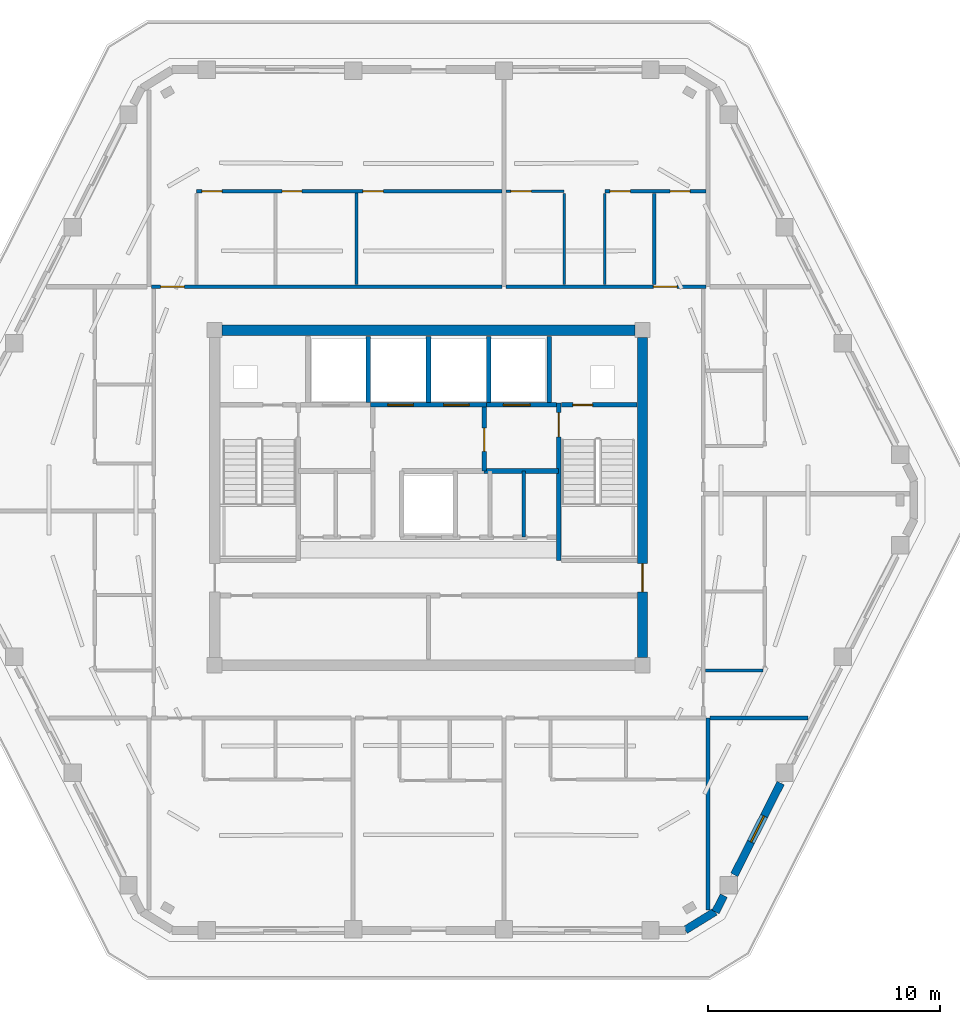
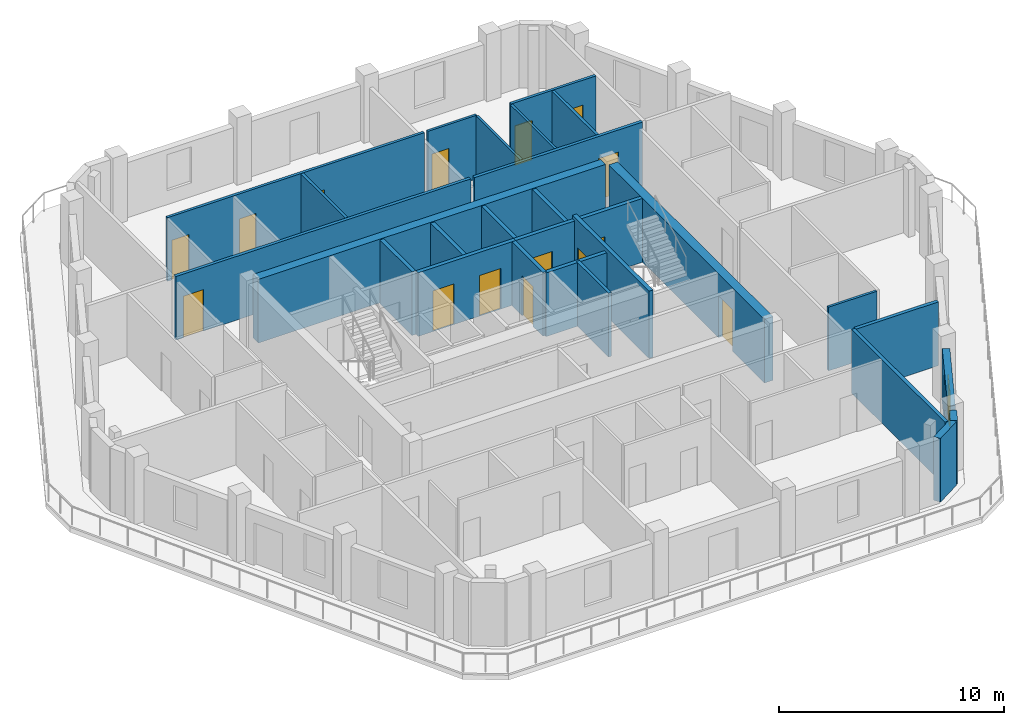
# One storey, part 5 of 10: 28 walls, 15 doors, 1 window, 16 openings.
"""IFC4 building model written with IfcOpenShell, lengths in metres."""

import ifcopenshell
import ifcopenshell.guid

model = None  # the IFC model being written
_history = None  # IfcOwnerHistory: only IFC2X3 demands one
_inside = {}  # id of a spatial element -> (the spatial element, [elements in it])
_under = {}  # id of a project, library or spatial element -> (it, [spatial elements below it])
_declared = {}  # id of a project -> (the project, [libraries it declares])
_typed = {}  # id of a type object -> (the type object, [elements of that type])
_made_of = {}  # id of a material, layer set ... -> (it, [elements and type objects made of it])


def new_model(schema):
    """Start an empty IFC model of exactly this schema.

    Asked for "IFC4X3", IfcOpenShell would pick the latest addendum, in which some entities
    have other attributes; the version numbers below select the first issue.
    IFC2X3 requires an IfcOwnerHistory on every rooted entity: one is made here for all.
    """
    global model, _history
    if schema == "IFC4X3":
        model = ifcopenshell.file(schema_version=(4, 3, 0, 0))
    else:
        model = ifcopenshell.file(schema=schema)
    _inside.clear()
    _under.clear()
    _declared.clear()
    _typed.clear()
    _made_of.clear()
    _history = None
    if model.schema == "IFC2X3":
        org = make("IfcOrganization", Name="unknown")
        user = make(
            "IfcPersonAndOrganization",
            ThePerson=make("IfcPerson", FamilyName="unknown"),
            TheOrganization=org,
        )
        app = make(
            "IfcApplication",
            ApplicationDeveloper=org,
            Version="unknown",
            ApplicationFullName="unknown",
            ApplicationIdentifier="unknown",
        )
        _history = make(
            "IfcOwnerHistory",
            OwningUser=user,
            OwningApplication=app,
            ChangeAction="ADDED",
            CreationDate=0,
        )
    return model


def make(cls, **values):
    """One entity of the class cls with the attributes given. An attribute that is None is left unset."""
    return model.create_entity(
        cls, **{name: value for name, value in values.items() if value is not None}
    )


def rooted(cls, **values):
    """An entity with a GlobalId (a new one), such as an element, a storey or a relation."""
    return make(cls, GlobalId=ifcopenshell.guid.new(), OwnerHistory=_history, **values)


def si_unit(unit_type, name, prefix=None):
    """IfcSIUnit, for example si_unit("LENGTHUNIT", "METRE", prefix="MILLI")."""
    return make("IfcSIUnit", UnitType=unit_type, Prefix=prefix, Name=name)


def assignment(units):
    """IfcUnitAssignment: the units of a project."""
    return None if units is None else make("IfcUnitAssignment", Units=units)


def point(xyz):
    """IfcCartesianPoint."""
    return None if xyz is None else make("IfcCartesianPoint", Coordinates=xyz)


def direction(xyz):
    """IfcDirection."""
    return None if xyz is None else make("IfcDirection", DirectionRatios=xyz)


def frame(location, z_axis=None, x_axis=None):
    """IfcAxis2Placement3D, a coordinate frame: its origin and axes. An axis left out is left unset."""
    return make(
        "IfcAxis2Placement3D",
        Location=point(location),
        Axis=direction(z_axis),
        RefDirection=direction(x_axis),
    )


def frame_2d(location, x_axis=None):
    """IfcAxis2Placement2D, a coordinate frame in the plane: its origin and x axis."""
    return make(
        "IfcAxis2Placement2D", Location=point(location), RefDirection=direction(x_axis)
    )


def origin():
    """The frame at (0, 0, 0) with its axes left unset."""
    return frame((0.0, 0.0, 0.0))


def place(relative_to, where):
    """IfcLocalPlacement: puts the frame where relative to a parent placement (None: the world)."""
    return make(
        "IfcLocalPlacement", PlacementRelTo=relative_to, RelativePlacement=where
    )


def context(
    kind, dimensions, precision=None, world=None, true_north=None, identifier=None
):
    """IfcGeometricRepresentationContext, for example the 3D "Model" context."""
    return make(
        "IfcGeometricRepresentationContext",
        ContextIdentifier=identifier,
        ContextType=kind,
        CoordinateSpaceDimension=dimensions,
        Precision=precision,
        WorldCoordinateSystem=world,
        TrueNorth=true_north,
    )


def subcontext(parent, identifier, kind, view, scale=None):
    """IfcGeometricRepresentationSubContext, for example "Body" below "Model"."""
    return make(
        "IfcGeometricRepresentationSubContext",
        ContextIdentifier=identifier,
        ContextType=kind,
        ParentContext=parent,
        TargetScale=scale,
        TargetView=view,
    )


def project(units=None, contexts=None):
    """IfcProject with its units and contexts."""
    return rooted(
        "IfcProject",
        Name="project",
        RepresentationContexts=contexts,
        UnitsInContext=assignment(units),
    )


def spatial(cls, under=None, at=None, **own):
    """A site, building, storey or space (cls), placed at a placement, below another one or the project."""
    s = rooted(cls, ObjectPlacement=at, **own)
    if under is not None:
        _under.setdefault(under.id(), (under, []))[1].append(s)
    return s


def profile(cls, at=None, kind="AREA", **sizes):
    """A parametric profile (cls). Its sizes go by their IFC names, for example OverallWidth=200.0."""
    return make(cls, ProfileType=kind, Position=at, **sizes)


def rectangle(**sizes):
    """IfcRectangleProfileDef."""
    return profile("IfcRectangleProfileDef", **sizes)


def extrude(swept, where, along, depth):
    """IfcExtrudedAreaSolid: the profile swept, set in the frame where, extruded along a direction by depth."""
    return make(
        "IfcExtrudedAreaSolid",
        SweptArea=swept,
        Position=where,
        ExtrudedDirection=direction(along),
        Depth=depth,
    )


def shape(context_of_items, identifier, shape_type, items):
    """IfcShapeRepresentation: the items that make up one representation, for example the "Body"."""
    return make(
        "IfcShapeRepresentation",
        ContextOfItems=context_of_items,
        RepresentationIdentifier=identifier,
        RepresentationType=shape_type,
        Items=items,
    )


def material(Name=None, Category=None):
    """IfcMaterial."""
    return make("IfcMaterial", Name=Name, Category=Category)


def layer(
    of_material, thickness, ventilated=None, Name=None, Category=None, Priority=None
):
    """IfcMaterialLayer: one layer of a wall or slab, of a material (None: an air gap)."""
    return make(
        "IfcMaterialLayer",
        Material=of_material,
        LayerThickness=thickness,
        IsVentilated=ventilated,
        Name=Name,
        Category=Category,
        Priority=Priority,
    )


def layer_set(layers, Name=None):
    """IfcMaterialLayerSet."""
    return make("IfcMaterialLayerSet", MaterialLayers=layers, LayerSetName=Name)


def made_of(thing, what):
    """Note that an element or type object is made of a material, layer set ...; save() writes the relation."""
    if what is not None:
        _made_of.setdefault(what.id(), (what, []))[1].append(thing)
    return thing


def type_object(cls, material=None, **own):
    """A type object (cls), such as IfcWallType, which elements share."""
    return made_of(rooted(cls, **own), material)


def element(
    cls,
    number,
    at=None,
    inside=None,
    cuts=None,
    type_object=None,
    material=None,
    context=None,
    identifier="Body",
    shape_type=None,
    held_by="IfcProductDefinitionShape",
    body=None,
    shapes=None,
    **own,
):
    """One element of the class cls, such as IfcWall. Its Tag is "e" and its number.

    at: its placement. inside: the storey or other place that contains it. cuts: it is an
    opening in that element (IfcRelVoidsElement). A single representation is given by context,
    identifier, shape_type and body (its items); several are given by shapes. held_by: the class
    of the entity that holds the representations. save() writes the other relations.
    """
    e = rooted(cls, Tag="e%d" % number, ObjectPlacement=at, **own)
    if body is not None:
        shapes = [shape(context, identifier, shape_type, body)]
    if shapes is not None:
        e.Representation = make(held_by, Representations=shapes)
    if inside is not None:
        _inside.setdefault(inside.id(), (inside, []))[1].append(e)
    if cuts is not None:
        rooted(
            "IfcRelVoidsElement", RelatingBuildingElement=cuts, RelatedOpeningElement=e
        )
    if type_object is not None:
        _typed.setdefault(type_object.id(), (type_object, []))[1].append(e)
    return made_of(e, material)


def fill(opening, filler):
    """IfcRelFillsElement: the door or window that sits in an opening."""
    return rooted(
        "IfcRelFillsElement",
        RelatingOpeningElement=opening,
        RelatedBuildingElement=filler,
    )


def aggregate(whole, parts):
    """IfcRelAggregates: a whole, such as a stair, and the parts it consists of."""
    return rooted("IfcRelAggregates", RelatingObject=whole, RelatedObjects=parts)


def save(model, path):
    """Write the relations noted so far, then the file.

    IfcRelAggregates (storeys below a building ...), IfcRelContainedInSpatialStructure (elements
    in a storey), IfcRelDefinesByType, IfcRelAssociatesMaterial and IfcRelDeclares: one each for
    every whole, place, type object, material and project.
    """
    for whole, parts in _under.values():
        aggregate(whole, parts)
    for where, things in _inside.values():
        rooted(
            "IfcRelContainedInSpatialStructure",
            RelatedElements=things,
            RelatingStructure=where,
        )
    for kind, things in _typed.values():
        rooted("IfcRelDefinesByType", RelatedObjects=things, RelatingType=kind)
    for what, things in _made_of.values():
        rooted("IfcRelAssociatesMaterial", RelatedObjects=things, RelatingMaterial=what)
    for by, libraries in _declared.values():
        rooted("IfcRelDeclares", RelatingContext=by, RelatedDefinitions=libraries)
    model.write(path)


model = new_model("IFC4")

# Units and contexts
model_context = context("Model", 3, precision=1e-05, world=origin(), true_north=direction((0.0, 1.0)))
body_context = subcontext(model_context, "Body", "Model", "MODEL_VIEW")
ifc_project = project(units=[si_unit("LENGTHUNIT", "METRE"), si_unit("AREAUNIT", "SQUARE_METRE"), si_unit("VOLUMEUNIT", "CUBIC_METRE"), si_unit("PLANEANGLEUNIT", "RADIAN"), si_unit("MASSUNIT", "GRAM", prefix="KILO")], contexts=[model_context])

# Site, building, storey
site_placement = place(None, origin())
site = spatial("IfcSite", under=ifc_project, at=site_placement, CompositionType="ELEMENT")
building_placement = place(site_placement, origin())
building = spatial("IfcBuilding", under=site, at=building_placement, Name="Cinnabar Lancet Tower", CompositionType="ELEMENT")
storey_placement = place(building_placement, frame((0.0, 0.0, 227.0)))
storey = spatial("IfcBuildingStorey", under=building, at=storey_placement, Name="L60", CompositionType="ELEMENT", Elevation=227.0)

# Wall
ifc_material_1 = material(Name="Acoustic twin-stud gypsum partition", Category="gypsum")
ifc_layer_1 = layer(ifc_material_1, 0.159912109375)
ifc_layer_set_1 = layer_set([ifc_layer_1], Name="Acoustic twin-stud gypsum partition")
wall_type_1 = type_object("IfcWallType", Name="ARC-WL-CORR-160", PredefinedType="PARTITIONING", material=ifc_layer_set_1)
wall_1_placement = place(storey_placement, frame((36.5, 24.199951171875, 0.0), z_axis=(0.0, 0.0, 1.0), x_axis=(0.0, 1.0, 0.0)))
element("IfcWall", 1, at=wall_1_placement, inside=storey, type_object=wall_type_1, Name="CW-REC6D2-L60", PredefinedType="PARTITIONING", context=body_context, shape_type="SweptSolid", body=[
    extrude(rectangle(XDim=2.85009765625, YDim=0.159912109375, at=frame_2d((1.425048828125, 0.0))), origin(), (0.0, 0.0, 1.0), 3.449951171875),
])

# Wall, opening, door
wall_2_placement = place(storey_placement, frame((20.445068359375, 35.0, 0.0), z_axis=(0.0, 0.0, 1.0), x_axis=(1.0, 0.0, 0.0)))
wall_2 = element("IfcWall", 2, at=wall_2_placement, inside=storey, type_object=wall_type_1, Name="L60 Unit N01 Corridor Wall", PredefinedType="PARTITIONING", context=body_context, shape_type="SweptSolid", body=[
    extrude(rectangle(XDim=15.114013671875, YDim=0.159912109375, at=frame_2d((7.55712890625, 0.0))), origin(), (0.0, 0.0, 1.0), 3.449951171875),
])
opening_1_placement = place(wall_2_placement, frame((0.405029296875, 0.0, 0.0)))
opening_1 = element("IfcOpeningElement", 3, at=opening_1_placement, cuts=wall_2, Name="Opening UD-01", PredefinedType="OPENING", context=body_context, shape_type="SweptSolid", body=[
    extrude(rectangle(XDim=1.02001953125, YDim=2.25, at=frame_2d((0.510009765625, 1.125))), frame((0.0, 0.08984375, 0.0), z_axis=(0.0, -1.0, 0.0), x_axis=(1.0, 0.0, 0.0)), (0.0, 0.0, 1.0), 0.179931640625),
])
ifc_material_2 = material(Name="Solid timber fire-rated apartment entrance door", Category="wood")
door_type_1 = type_object("IfcDoorType", Name="ARC-DR-UNIT", OperationType="NOTDEFINED", PredefinedType="DOOR", material=ifc_material_2)
door_1_placement = place(opening_1_placement, origin())
door_1 = element("IfcDoor", 4, at=door_1_placement, inside=storey, type_object=door_type_1, Name="DR-L60-N01-ENT", OperationType="SINGLE_SWING_LEFT", OverallHeight=2.25, OverallWidth=1.02001953125, PredefinedType="DOOR", context=body_context, shape_type="SweptSolid", body=[
    extrude(rectangle(XDim=1.02001953125, YDim=2.25, at=frame_2d((0.510009765625, 1.125))), frame((0.0, 0.02490234375, 0.0), z_axis=(0.0, -1.0, 0.0), x_axis=(1.0, 0.0, 0.0)), (0.0, 0.0, 1.0), 0.050048828125),
])
fill(opening_1, door_1)

wall_3_placement = place(storey_placement, frame((35.7490234375, 35.0, 0.0), z_axis=(0.0, 0.0, 1.0), x_axis=(1.0, 0.0, 0.0)))
wall_3 = element("IfcWall", 5, at=wall_3_placement, inside=storey, type_object=wall_type_1, Name="L60 Unit N02 Corridor Wall", PredefinedType="PARTITIONING", context=body_context, shape_type="SweptSolid", body=[
    extrude(rectangle(XDim=8.60595703125, YDim=0.159912109375, at=frame_2d((4.302978515625, 0.0))), origin(), (0.0, 0.0, 1.0), 3.449951171875),
])
opening_2_placement = place(wall_3_placement, frame((6.35107421875, 0.0, 0.0)))
opening_2 = element("IfcOpeningElement", 6, at=opening_2_placement, cuts=wall_3, Name="Opening UD-01", PredefinedType="OPENING", context=body_context, shape_type="SweptSolid", body=[
    extrude(rectangle(XDim=1.02001953125, YDim=2.25, at=frame_2d((0.510009765625, 1.125))), frame((0.0, 0.08984375, 0.0), z_axis=(0.0, -1.0, 0.0), x_axis=(1.0, 0.0, 0.0)), (0.0, 0.0, 1.0), 0.179931640625),
])
door_2_placement = place(opening_2_placement, origin())
door_2 = element("IfcDoor", 7, at=door_2_placement, inside=storey, type_object=door_type_1, Name="DR-L60-N02-ENT", OperationType="SINGLE_SWING_RIGHT", OverallHeight=2.25, OverallWidth=1.02001953125, PredefinedType="DOOR", context=body_context, shape_type="SweptSolid", body=[
    extrude(rectangle(XDim=1.02001953125, YDim=2.25, at=frame_2d((0.510009765625, 1.125))), frame((0.0, 0.02490234375, 0.0), z_axis=(0.0, -1.0, 0.0), x_axis=(1.0, 0.0, 0.0)), (0.0, 0.0, 1.0), 0.050048828125),
])
fill(opening_2, door_2)

# Walls
ifc_material_3 = material(Name="Fire-rated twin-frame acoustic drywall", Category="gypsum")
ifc_layer_2 = layer(ifc_material_3, 0.179931640625)
ifc_layer_set_2 = layer_set([ifc_layer_2], Name="Fire-rated twin-frame acoustic drywall")
wall_type_2 = type_object("IfcWallType", Name="ARC-WL-PARTY-180", PredefinedType="PARTITIONING", material=ifc_layer_set_2)
wall_4_placement = place(storey_placement, frame((44.449951171875, 8.118896484375, 0.0), z_axis=(0.0, 0.0, 1.0), x_axis=(0.0, 1.0, 0.0)))
element("IfcWall", 8, at=wall_4_placement, inside=storey, type_object=wall_type_2, Name="PW-L60-SPTY-444", PredefinedType="PARTITIONING", context=body_context, shape_type="SweptSolid", body=[
    extrude(rectangle(XDim=8.281005859375, YDim=0.179931640625, at=frame_2d((4.140625, 0.0))), origin(), (0.0, 0.0, 1.0), 3.449951171875),
])
wall_5_placement = place(storey_placement, frame((44.544921875, 16.39990234375, 0.0), z_axis=(0.0, 0.0, 1.0), x_axis=(1.0, 0.0, 0.0)))
element("IfcWall", 9, at=wall_5_placement, inside=storey, type_object=wall_type_2, Name="PW-L60-ESB", PredefinedType="PARTITIONING", context=body_context, shape_type="SweptSolid", body=[
    extrude(rectangle(XDim=4.22119140625, YDim=0.179931640625, at=frame_2d((2.110595703125, 0.0))), origin(), (0.0, 0.0, 1.0), 3.449951171875),
])

# Wall, openings, doors
ifc_material_4 = material(Name="Autoclaved aerated concrete blockwork", Category="masonry")
ifc_layer_3 = layer(ifc_material_4, 0.199951171875)
ifc_layer_set_3 = layer_set([ifc_layer_3], Name="Autoclaved aerated concrete blockwork")
wall_type_3 = type_object("IfcWallType", Name="ARC-WL-SHAFT-200", PredefinedType="PLUMBINGWALL", material=ifc_layer_set_3)
wall_6_placement = place(storey_placement, frame((29.89990234375, 29.89990234375, 0.0), z_axis=(0.0, 0.0, 1.0), x_axis=(1.0, 0.0, 0.0)))
wall_6 = element("IfcWall", 10, at=wall_6_placement, inside=storey, type_object=wall_type_3, Name="CW-PL78-L60", PredefinedType="PLUMBINGWALL", context=body_context, shape_type="SweptSolid", body=[
    extrude(rectangle(XDim=5.0, YDim=0.199951171875, at=frame_2d((2.5, 0.0))), origin(), (0.0, 0.0, 1.0), 3.449951171875),
])
opening_3_placement = place(wall_6_placement, frame((0.75, 0.0, 0.0)))
opening_3 = element("IfcOpeningElement", 11, at=opening_3_placement, cuts=wall_6, Name="Opening LD-01", PredefinedType="OPENING", context=body_context, shape_type="SweptSolid", body=[
    extrude(rectangle(XDim=1.10009765625, YDim=2.199951171875, at=frame_2d((0.550048828125, 1.10009765625))), frame((0.0, 0.10986328125, 0.0), z_axis=(0.0, -1.0, 0.0), x_axis=(1.0, 0.0, 0.0)), (0.0, 0.0, 1.0), 0.219970703125),
])
opening_4_placement = place(wall_6_placement, frame((3.14990234375, 0.0, 0.0)))
opening_4 = element("IfcOpeningElement", 12, at=opening_4_placement, cuts=wall_6, Name="Opening LD-01", PredefinedType="OPENING", context=body_context, shape_type="SweptSolid", body=[
    extrude(rectangle(XDim=1.10009765625, YDim=2.199951171875, at=frame_2d((0.550048828125, 1.10009765625))), frame((0.0, 0.10986328125, 0.0), z_axis=(0.0, -1.0, 0.0), x_axis=(1.0, 0.0, 0.0)), (0.0, 0.0, 1.0), 0.219970703125),
])
ifc_material_5 = material(Name="Brushed stainless steel sliding lift door", Category="steel")
door_type_2 = type_object("IfcDoorType", Name="ARC-DR-LD-PASS", OperationType="NOTDEFINED", PredefinedType="DOOR", material=ifc_material_5)
door_3_placement = place(opening_3_placement, origin())
door_3 = element("IfcDoor", 13, at=door_3_placement, inside=storey, type_object=door_type_2, Name="L60 Lift PL-7 Landing Door", OperationType="DOUBLE_DOOR_SLIDING", OverallHeight=2.199951171875, OverallWidth=1.10009765625, PredefinedType="DOOR", context=body_context, shape_type="SweptSolid", body=[
    extrude(rectangle(XDim=1.10009765625, YDim=2.199951171875, at=frame_2d((0.550048828125, 1.10009765625))), frame((0.0, 0.02490234375, 0.0), z_axis=(0.0, -1.0, 0.0), x_axis=(1.0, 0.0, 0.0)), (0.0, 0.0, 1.0), 0.050048828125),
])
fill(opening_3, door_3)
door_4_placement = place(opening_4_placement, origin())
door_4 = element("IfcDoor", 14, at=door_4_placement, inside=storey, type_object=door_type_2, Name="L60 Lift PL-8 Landing Door", OperationType="DOUBLE_DOOR_SLIDING", OverallHeight=2.199951171875, OverallWidth=1.10009765625, PredefinedType="DOOR", context=body_context, shape_type="SweptSolid", body=[
    extrude(rectangle(XDim=1.10009765625, YDim=2.199951171875, at=frame_2d((0.550048828125, 1.10009765625))), frame((0.0, 0.02490234375, 0.0), z_axis=(0.0, -1.0, 0.0), x_axis=(1.0, 0.0, 0.0)), (0.0, 0.0, 1.0), 0.050048828125),
])
fill(opening_4, door_4)

# Wall, opening, door
wall_7_placement = place(storey_placement, frame((34.89990234375, 29.89990234375, 0.0), z_axis=(0.0, 0.0, 1.0), x_axis=(1.0, 0.0, 0.0)))
wall_7 = element("IfcWall", 15, at=wall_7_placement, inside=storey, type_object=wall_type_3, Name="CW-FL2-L60", PredefinedType="PLUMBINGWALL", context=body_context, shape_type="SweptSolid", body=[
    extrude(rectangle(XDim=3.01513671875, YDim=0.199951171875, at=frame_2d((1.507568359375, 0.0))), origin(), (0.0, 0.0, 1.0), 3.449951171875),
])
opening_5_placement = place(wall_7_placement, frame((0.72509765625, 0.0, 0.0)))
opening_5 = element("IfcOpeningElement", 16, at=opening_5_placement, cuts=wall_7, Name="Opening LD-02", PredefinedType="OPENING", context=body_context, shape_type="SweptSolid", body=[
    extrude(rectangle(XDim=1.14990234375, YDim=2.199951171875, at=frame_2d((0.574951171875, 1.10009765625))), frame((0.0, 0.10986328125, 0.0), z_axis=(0.0, -1.0, 0.0), x_axis=(1.0, 0.0, 0.0)), (0.0, 0.0, 1.0), 0.219970703125),
])
ifc_material_6 = material(Name="Fire-rated stainless steel firefighting lift landing door", Category="steel")
door_type_3 = type_object("IfcDoorType", Name="ARC-DR-LD-FIRE", OperationType="NOTDEFINED", PredefinedType="DOOR", material=ifc_material_6)
door_5_placement = place(opening_5_placement, origin())
door_5 = element("IfcDoor", 17, at=door_5_placement, inside=storey, type_object=door_type_3, Name="L60 Firefighting Lift FL-2 Landing Door", OperationType="DOUBLE_DOOR_SLIDING", OverallHeight=2.199951171875, OverallWidth=1.14990234375, PredefinedType="DOOR", context=body_context, shape_type="SweptSolid", body=[
    extrude(rectangle(XDim=1.14990234375, YDim=2.199951171875, at=frame_2d((0.574951171875, 1.10009765625))), frame((0.0, 0.02490234375, 0.0), z_axis=(0.0, -1.0, 0.0), x_axis=(1.0, 0.0, 0.0)), (0.0, 0.0, 1.0), 0.050048828125),
])
fill(opening_5, door_5)

wall_8_placement = place(storey_placement, frame((38.125, 29.89990234375, 0.0), z_axis=(0.0, 0.0, 1.0), x_axis=(1.0, 0.0, 0.0)))
wall_8 = element("IfcWall", 18, at=wall_8_placement, inside=storey, type_object=wall_type_3, Name="CW-NSH-E-L60", PredefinedType="PLUMBINGWALL", context=body_context, shape_type="SweptSolid", body=[
    extrude(rectangle(XDim=3.27001953125, YDim=0.199951171875, at=frame_2d((1.635009765625, 0.0))), origin(), (0.0, 0.0, 1.0), 3.449951171875),
])
opening_6_placement = place(wall_8_placement, frame((0.5, 0.0, 0.0)))
opening_6 = element("IfcOpeningElement", 19, at=opening_6_placement, cuts=wall_8, Name="Opening PD-02", PredefinedType="OPENING", context=body_context, shape_type="SweptSolid", body=[
    extrude(rectangle(XDim=0.85009765625, YDim=2.050048828125, at=frame_2d((0.425048828125, 1.02490234375))), frame((0.0, 0.10986328125, 0.0), z_axis=(0.0, -1.0, 0.0), x_axis=(1.0, 0.0, 0.0)), (0.0, 0.0, 1.0), 0.219970703125),
])
ifc_material_7 = material(Name="Fire-rated steel riser access door", Category="steel")
door_type_4 = type_object("IfcDoorType", Name="ARC-DR-RISER", OperationType="NOTDEFINED", PredefinedType="DOOR", material=ifc_material_7)
door_6_placement = place(opening_6_placement, origin())
door_6 = element("IfcDoor", 20, at=door_6_placement, inside=storey, type_object=door_type_4, Name="L60 East Riser Access Door", OperationType="SINGLE_SWING_RIGHT", OverallHeight=2.050048828125, OverallWidth=0.85009765625, PredefinedType="DOOR", context=body_context, shape_type="SweptSolid", body=[
    extrude(rectangle(XDim=0.85009765625, YDim=2.050048828125, at=frame_2d((0.425048828125, 1.02490234375))), frame((0.0, 0.02490234375, 0.0), z_axis=(0.0, -1.0, 0.0), x_axis=(1.0, 0.0, 0.0)), (0.0, 0.0, 1.0), 0.050048828125),
])
fill(opening_6, door_6)

# Walls
for number, where, z_axis, x_axis, name in (
    (21, (29.800048828125, 30.0, 0.0), (0.0, 0.0, 1.0), (0.0, 1.0, 0.0), "CW-NSH-D2-L60"),
    (22, (32.39990234375, 30.0, 0.0), (0.0, 0.0, 1.0), (0.0, 1.0, 0.0), "CW-NSH-D3-L60"),
    (23, (35.0, 30.0, 0.0), (0.0, 0.0, 1.0), (0.0, 1.0, 0.0), "CW-NSH-D4-L60"),
    (24, (37.60009765625, 30.0, 0.0), (0.0, 0.0, 1.0), (0.0, 1.0, 0.0), "CW-NSH-D5-L60"),
):
    element("IfcWall", number, at=place(storey_placement, frame(where, z_axis=z_axis, x_axis=x_axis)), inside=storey, type_object=wall_type_3, Name=name, PredefinedType="PLUMBINGWALL", context=body_context, shape_type="SweptSolid", body=[
        extrude(rectangle(XDim=2.85009765625, YDim=0.199951171875, at=frame_2d((1.425048828125, 0.0))), origin(), (0.0, 0.0, 1.0), 3.449951171875),
    ])

# Wall, opening, door
wall_9_placement = place(storey_placement, frame((34.800048828125, 27.050048828125, 0.0), z_axis=(0.0, 0.0, 1.0), x_axis=(0.0, 1.0, 0.0)))
wall_9 = element("IfcWall", 25, at=wall_9_placement, inside=storey, type_object=wall_type_3, Name="CW-FF2W-L60", PredefinedType="PLUMBINGWALL", context=body_context, shape_type="SweptSolid", body=[
    extrude(rectangle(XDim=2.75, YDim=0.199951171875, at=frame_2d((1.375, 0.0))), origin(), (0.0, 0.0, 1.0), 3.449951171875),
])
opening_7_placement = place(wall_9_placement, frame((0.85009765625, 0.0, 0.0)))
opening_7 = element("IfcOpeningElement", 26, at=opening_7_placement, cuts=wall_9, Name="Opening FD-01", PredefinedType="OPENING", context=body_context, shape_type="SweptSolid", body=[
    extrude(rectangle(XDim=1.0, YDim=2.14990234375, at=frame_2d((0.5, 1.074951171875))), frame((0.0, 0.10986328125, 0.0), z_axis=(0.0, -1.0, 0.0), x_axis=(1.0, 0.0, 0.0)), (0.0, 0.0, 1.0), 0.219970703125),
])
ifc_material_8 = material(Name="Fire-rated timber-core lobby door", Category="wood")
door_type_5 = type_object("IfcDoorType", Name="ARC-DR-FFAL", OperationType="NOTDEFINED", PredefinedType="DOOR", material=ifc_material_8)
door_7_placement = place(opening_7_placement, origin())
door_7 = element("IfcDoor", 27, at=door_7_placement, inside=storey, type_object=door_type_5, Name="L60 FFAL-2 Lobby Fire Door", OperationType="SINGLE_SWING_LEFT", OverallHeight=2.14990234375, OverallWidth=1.0, PredefinedType="DOOR", context=body_context, shape_type="SweptSolid", body=[
    extrude(rectangle(XDim=1.0, YDim=2.14990234375, at=frame_2d((0.5, 1.074951171875))), frame((0.0, 0.02490234375, 0.0), z_axis=(0.0, -1.0, 0.0), x_axis=(1.0, 0.0, 0.0)), (0.0, 0.0, 1.0), 0.050048828125),
])
fill(opening_7, door_7)

# Walls
wall_10_placement = place(storey_placement, frame((34.800048828125, 27.050048828125, 0.0), z_axis=(0.0, 0.0, 1.0), x_axis=(1.0, 0.0, 0.0)))
element("IfcWall", 28, at=wall_10_placement, inside=storey, type_object=wall_type_3, Name="CW-FF2S-L60", PredefinedType="PLUMBINGWALL", context=body_context, shape_type="SweptSolid", body=[
    extrude(rectangle(XDim=3.199951171875, YDim=0.199951171875, at=frame_2d((1.60009765625, 0.0))), origin(), (0.0, 0.0, 1.0), 3.449951171875),
])
ifc_material_9 = material(Name="Gypsum plasterboard stud partition", Category="gypsum")
ifc_layer_4 = layer(ifc_material_9, 0.125)
ifc_layer_set_4 = layer_set([ifc_layer_4], Name="Gypsum plasterboard stud partition")
wall_type_4 = type_object("IfcWallType", Name="ARC-WL-UNIT-125", PredefinedType="PARTITIONING", material=ifc_layer_set_4)
for number, where, z_axis, x_axis, name in (
    (29, (40.0, 35.0849609375, 0.0), (0.0, 0.0, 1.0), (0.0, 1.0, 0.0), "UW-L60-N02-FOYE"),
    (30, (38.25, 35.0849609375, 0.0), (0.0, 0.0, 1.0), (0.0, 1.0, 0.0), "UW-L60-N02-FOYW"),
):
    element("IfcWall", number, at=place(storey_placement, frame(where, z_axis=z_axis, x_axis=x_axis)), inside=storey, type_object=wall_type_4, Name=name, PredefinedType="PARTITIONING", context=body_context, shape_type="SweptSolid", body=[
        extrude(rectangle(XDim=3.925048828125, YDim=0.125, at=frame_2d((1.96240234375, 0.0))), origin(), (0.0, 0.0, 1.0), 3.449951171875),
    ])

# Wall, opening, door
wall_11_placement = place(storey_placement, frame((35.7490234375, 39.114990234375, 0.0), z_axis=(0.0, 0.0, 1.0), x_axis=(1.0, 0.0, 0.0)))
wall_11 = element("IfcWall", 31, at=wall_11_placement, inside=storey, type_object=wall_type_4, Name="UW-L60-N02-SP0", PredefinedType="PARTITIONING", context=body_context, shape_type="SweptSolid", body=[
    extrude(rectangle(XDim=2.5009765625, YDim=0.125, at=frame_2d((1.25048828125, 0.0))), origin(), (0.0, 0.0, 1.0), 3.449951171875),
])
opening_8_placement = place(wall_11_placement, frame((0.199951171875, 0.0, 0.0)))
opening_8 = element("IfcOpeningElement", 32, at=opening_8_placement, cuts=wall_11, Name="Opening RD-02", PredefinedType="OPENING", context=body_context, shape_type="SweptSolid", body=[
    extrude(rectangle(XDim=0.8798828125, YDim=2.14990234375, at=frame_2d((0.43994140625, 1.074951171875))), frame((0.0, 0.072509765625, 0.0), z_axis=(0.0, -1.0, 0.0), x_axis=(1.0, 0.0, 0.0)), (0.0, 0.0, 1.0), 0.14501953125),
])
ifc_material_10 = material(Name="Engineered timber study door", Category="wood")
door_type_6 = type_object("IfcDoorType", Name="ARC-DR-STUDY", OperationType="NOTDEFINED", PredefinedType="DOOR", material=ifc_material_10)
door_8_placement = place(opening_8_placement, origin())
door_8 = element("IfcDoor", 33, at=door_8_placement, inside=storey, type_object=door_type_6, Name="DR-L60-N02-EX0", OperationType="SINGLE_SWING_RIGHT", OverallHeight=2.14990234375, OverallWidth=0.8798828125, PredefinedType="DOOR", context=body_context, shape_type="SweptSolid", body=[
    extrude(rectangle(XDim=0.8798828125, YDim=2.14990234375, at=frame_2d((0.43994140625, 1.074951171875))), frame((0.0, 0.02490234375, 0.0), z_axis=(0.0, -1.0, 0.0), x_axis=(1.0, 0.0, 0.0)), (0.0, 0.0, 1.0), 0.050048828125),
])
fill(opening_8, door_8)

# Wall
wall_12_placement = place(storey_placement, frame((44.3349609375, 18.449951171875, 0.0), z_axis=(0.0, 0.0, 1.0), x_axis=(1.0, 0.0, 0.0)))
element("IfcWall", 34, at=wall_12_placement, inside=storey, type_object=wall_type_4, Name="UW-L60-E01-FOYN", PredefinedType="PARTITIONING", context=body_context, shape_type="SweptSolid", body=[
    extrude(rectangle(XDim=2.47998046875, YDim=0.125, at=frame_2d((1.239990234375, 0.0))), origin(), (0.0, 0.0, 1.0), 3.449951171875),
])

# Wall, openings, doors
ifc_material_11 = material(Name="Moisture-resistant cement-board plumbing wall", Category="masonry")
ifc_layer_5 = layer(ifc_material_11, 0.139892578125)
ifc_layer_set_5 = layer_set([ifc_layer_5], Name="Moisture-resistant cement-board plumbing wall")
wall_type_5 = type_object("IfcWallType", Name="ARC-WL-WET-140", PredefinedType="PLUMBINGWALL", material=ifc_layer_set_5)
wall_13_placement = place(storey_placement, frame((22.39990234375, 39.114990234375, 0.0), z_axis=(0.0, 0.0, 1.0), x_axis=(1.0, 0.0, 0.0)))
wall_13 = element("IfcWall", 35, at=wall_13_placement, inside=storey, type_object=wall_type_5, Name="UW-L60-N01-SPL", PredefinedType="PLUMBINGWALL", context=body_context, shape_type="SweptSolid", body=[
    extrude(rectangle(XDim=13.1591796875, YDim=0.139892578125, at=frame_2d((6.57958984375, 0.0))), origin(), (0.0, 0.0, 1.0), 3.449951171875),
])
opening_9_placement = place(wall_13_placement, frame((3.679931640625, 0.0, 0.0)))
opening_9 = element("IfcOpeningElement", 36, at=opening_9_placement, cuts=wall_13, Name="Opening BD-01", PredefinedType="OPENING", context=body_context, shape_type="SweptSolid", body=[
    extrude(rectangle(XDim=0.860107421875, YDim=2.10009765625, at=frame_2d((0.43017578125, 1.050048828125))), frame((0.0, 0.079833984375, 0.0), z_axis=(0.0, -1.0, 0.0), x_axis=(1.0, 0.0, 0.0)), (0.0, 0.0, 1.0), 0.159912109375),
])
opening_10_placement = place(wall_13_placement, frame((7.1689453125, 0.0, 0.0)))
opening_10 = element("IfcOpeningElement", 37, at=opening_10_placement, cuts=wall_13, Name="Opening RD-02", PredefinedType="OPENING", context=body_context, shape_type="SweptSolid", body=[
    extrude(rectangle(XDim=0.8798828125, YDim=2.14990234375, at=frame_2d((0.43994140625, 1.074951171875))), frame((0.0, 0.079833984375, 0.0), z_axis=(0.0, -1.0, 0.0), x_axis=(1.0, 0.0, 0.0)), (0.0, 0.0, 1.0), 0.159912109375),
])
opening_11_placement = place(wall_13_placement, frame((0.219970703125, 0.0, 0.0)))
opening_11 = element("IfcOpeningElement", 38, at=opening_11_placement, cuts=wall_13, Name="Opening RD-02", PredefinedType="OPENING", context=body_context, shape_type="SweptSolid", body=[
    extrude(rectangle(XDim=0.8798828125, YDim=2.14990234375, at=frame_2d((0.43994140625, 1.074951171875))), frame((0.0, 0.079833984375, 0.0), z_axis=(0.0, -1.0, 0.0), x_axis=(1.0, 0.0, 0.0)), (0.0, 0.0, 1.0), 0.159912109375),
])
ifc_material_12 = material(Name="Moisture-resistant timber bathroom door", Category="wood")
door_type_7 = type_object("IfcDoorType", Name="ARC-DR-BATH", OperationType="NOTDEFINED", PredefinedType="DOOR", material=ifc_material_12)
door_9_placement = place(opening_9_placement, origin())
door_9 = element("IfcDoor", 39, at=door_9_placement, inside=storey, type_object=door_type_7, Name="DR-L60-N01-BTH", OperationType="SINGLE_SWING_LEFT", OverallHeight=2.10009765625, OverallWidth=0.860107421875, PredefinedType="DOOR", context=body_context, shape_type="SweptSolid", body=[
    extrude(rectangle(XDim=0.860107421875, YDim=2.10009765625, at=frame_2d((0.43017578125, 1.050048828125))), frame((0.0, 0.02490234375, 0.0), z_axis=(0.0, -1.0, 0.0), x_axis=(1.0, 0.0, 0.0)), (0.0, 0.0, 1.0), 0.050048828125),
])
fill(opening_9, door_9)
door_10_placement = place(opening_10_placement, origin())
door_10 = element("IfcDoor", 40, at=door_10_placement, inside=storey, type_object=door_type_6, Name="DR-L60-N01-BTH-WDR", OperationType="SINGLE_SWING_RIGHT", OverallHeight=2.14990234375, OverallWidth=0.8798828125, PredefinedType="DOOR", context=body_context, shape_type="SweptSolid", body=[
    extrude(rectangle(XDim=0.8798828125, YDim=2.14990234375, at=frame_2d((0.43994140625, 1.074951171875))), frame((0.0, 0.02490234375, 0.0), z_axis=(0.0, -1.0, 0.0), x_axis=(1.0, 0.0, 0.0)), (0.0, 0.0, 1.0), 0.050048828125),
])
fill(opening_10, door_10)
door_11_placement = place(opening_11_placement, origin())
door_11 = element("IfcDoor", 41, at=door_11_placement, inside=storey, type_object=door_type_6, Name="DR-L60-N01-KIT", OperationType="SINGLE_SWING_RIGHT", OverallHeight=2.14990234375, OverallWidth=0.8798828125, PredefinedType="DOOR", context=body_context, shape_type="SweptSolid", body=[
    extrude(rectangle(XDim=0.8798828125, YDim=2.14990234375, at=frame_2d((0.43994140625, 1.074951171875))), frame((0.0, 0.02490234375, 0.0), z_axis=(0.0, -1.0, 0.0), x_axis=(1.0, 0.0, 0.0)), (0.0, 0.0, 1.0), 0.050048828125),
])
fill(opening_11, door_11)

# Wall
wall_14_placement = place(storey_placement, frame((29.2890625, 35.0849609375, 0.0), z_axis=(0.0, 0.0, 1.0), x_axis=(0.0, 1.0, 0.0)))
element("IfcWall", 42, at=wall_14_placement, inside=storey, type_object=wall_type_5, Name="UW-L60-N01-BTH-WDV", PredefinedType="PLUMBINGWALL", context=body_context, shape_type="SweptSolid", body=[
    extrude(rectangle(XDim=3.945068359375, YDim=0.139892578125, at=frame_2d((1.97265625, 0.0))), origin(), (0.0, 0.0, 1.0), 3.449951171875),
])

# Wall, openings, doors
wall_15_placement = place(storey_placement, frame((40.0, 39.114990234375, 0.0), z_axis=(0.0, 0.0, 1.0), x_axis=(1.0, 0.0, 0.0)))
wall_15 = element("IfcWall", 43, at=wall_15_placement, inside=storey, type_object=wall_type_5, Name="UW-L60-N02-SPL", PredefinedType="PLUMBINGWALL", context=body_context, shape_type="SweptSolid", body=[
    extrude(rectangle(XDim=4.35498046875, YDim=0.139892578125, at=frame_2d((2.177490234375, 0.0))), origin(), (0.0, 0.0, 1.0), 3.449951171875),
])
opening_12_placement = place(wall_15_placement, frame((2.821044921875, 0.0, 0.0)))
opening_12 = element("IfcOpeningElement", 44, at=opening_12_placement, cuts=wall_15, Name="Opening BD-01", PredefinedType="OPENING", context=body_context, shape_type="SweptSolid", body=[
    extrude(rectangle(XDim=0.860107421875, YDim=2.10009765625, at=frame_2d((0.43017578125, 1.050048828125))), frame((0.0, 0.079833984375, 0.0), z_axis=(0.0, -1.0, 0.0), x_axis=(1.0, 0.0, 0.0)), (0.0, 0.0, 1.0), 0.159912109375),
])
opening_13_placement = place(wall_15_placement, frame((0.219970703125, 0.0, 0.0)))
opening_13 = element("IfcOpeningElement", 45, at=opening_13_placement, cuts=wall_15, Name="Opening RD-02", PredefinedType="OPENING", context=body_context, shape_type="SweptSolid", body=[
    extrude(rectangle(XDim=0.8798828125, YDim=2.14990234375, at=frame_2d((0.43994140625, 1.074951171875))), frame((0.0, 0.079833984375, 0.0), z_axis=(0.0, -1.0, 0.0), x_axis=(1.0, 0.0, 0.0)), (0.0, 0.0, 1.0), 0.159912109375),
])
door_12_placement = place(opening_12_placement, origin())
door_12 = element("IfcDoor", 46, at=door_12_placement, inside=storey, type_object=door_type_7, Name="DR-L60-N02-BTH", OperationType="SINGLE_SWING_RIGHT", OverallHeight=2.10009765625, OverallWidth=0.860107421875, PredefinedType="DOOR", context=body_context, shape_type="SweptSolid", body=[
    extrude(rectangle(XDim=0.860107421875, YDim=2.10009765625, at=frame_2d((0.43017578125, 1.050048828125))), frame((0.0, 0.02490234375, 0.0), z_axis=(0.0, -1.0, 0.0), x_axis=(1.0, 0.0, 0.0)), (0.0, 0.0, 1.0), 0.050048828125),
])
fill(opening_12, door_12)
door_13_placement = place(opening_13_placement, origin())
door_13 = element("IfcDoor", 47, at=door_13_placement, inside=storey, type_object=door_type_6, Name="DR-L60-N02-KIT", OperationType="SINGLE_SWING_LEFT", OverallHeight=2.14990234375, OverallWidth=0.8798828125, PredefinedType="DOOR", context=body_context, shape_type="SweptSolid", body=[
    extrude(rectangle(XDim=0.8798828125, YDim=2.14990234375, at=frame_2d((0.43994140625, 1.074951171875))), frame((0.0, 0.02490234375, 0.0), z_axis=(0.0, -1.0, 0.0), x_axis=(1.0, 0.0, 0.0)), (0.0, 0.0, 1.0), 0.050048828125),
])
fill(opening_13, door_13)

# Walls
wall_16_placement = place(storey_placement, frame((42.135986328125, 35.0849609375, 0.0), z_axis=(0.0, 0.0, 1.0), x_axis=(0.0, 1.0, 0.0)))
element("IfcWall", 48, at=wall_16_placement, inside=storey, type_object=wall_type_5, Name="UW-L60-N02-KDV", PredefinedType="PLUMBINGWALL", context=body_context, shape_type="SweptSolid", body=[
    extrude(rectangle(XDim=3.925048828125, YDim=0.139892578125, at=frame_2d((1.96240234375, 0.0))), origin(), (0.0, 0.0, 1.0), 3.449951171875),
])
ifc_material_13 = material(Name="Cinnabar red clay brick", Category="masonry")
ifc_layer_6 = layer(ifc_material_13, 0.340087890625)
ifc_layer_set_6 = layer_set([ifc_layer_6], Name="Cinnabar red clay brick")
wall_type_6 = type_object("IfcWallType", Name="ENV-WL-BRK-RED-340", PredefinedType="STANDARD", material=ifc_layer_set_6)
wall_17_placement = place(storey_placement, frame((43.468994140625, 7.2548828125, 0.0), z_axis=(0.0, 0.0, 1.0), x_axis=(0.851680557619, 0.52406128246, 0.0)))
element("IfcWall", 49, at=wall_17_placement, inside=storey, type_object=wall_type_6, Name="L60 Chamfered Corner Brick Pier 2.1", PredefinedType="STANDARD", context=body_context, shape_type="SweptSolid", body=[
    extrude(rectangle(XDim=1.507568359375, YDim=0.340087890625, at=frame_2d((0.75390625, 0.0))), origin(), (0.0, 0.0, 1.0), 3.449951171875),
])
wall_18_placement = place(storey_placement, frame((44.77294921875, 8.029052734375, 0.0), z_axis=(0.0, 0.0, 1.0), x_axis=(0.451159191899, 0.892443490404, 0.0)))
element("IfcWall", 50, at=wall_18_placement, inside=storey, type_object=wall_type_6, Name="L60 Face 2 Masonry Bay Wall 1", PredefinedType="STANDARD", context=body_context, shape_type="SweptSolid", body=[
    extrude(rectangle(XDim=0.791259765625, YDim=0.340087890625, at=frame_2d((0.3955078125, 0.0))), origin(), (0.0, 0.0, 1.0), 3.449951171875),
])

# Wall, opening, window
wall_19_placement = place(storey_placement, frame((45.5859375, 9.636962890625, 0.0), z_axis=(0.0, 0.0, 1.0), x_axis=(0.451440846853, 0.892301048858, 0.0)))
wall_19 = element("IfcWall", 51, at=wall_19_placement, inside=storey, type_object=wall_type_6, Name="L60 Face 2 Masonry Bay Wall 2", PredefinedType="STANDARD", context=body_context, shape_type="SweptSolid", body=[
    extrude(rectangle(XDim=4.43017578125, YDim=0.340087890625, at=frame_2d((2.215087890625, 0.0))), origin(), (0.0, 0.0, 1.0), 2.98291015625),
])
opening_14_placement = place(wall_19_placement, frame((1.590087890625, 0.0, 0.75)))
opening_14 = element("IfcOpeningElement", 52, at=opening_14_placement, cuts=wall_19, Name="Opening WN-03", PredefinedType="OPENING", context=body_context, shape_type="SweptSolid", body=[
    extrude(rectangle(XDim=1.25, YDim=1.949951171875, at=frame_2d((0.625, 0.97509765625))), frame((0.0, 0.179931640625, 0.0), z_axis=(0.0, -1.0, 0.0), x_axis=(1.0, 0.0, 0.0)), (0.0, 0.0, 1.0), 0.360107421875),
])
ifc_material_14 = material(Name="Thermally broken bronze-anodized aluminium low-E double glazing", Category="aluminium")
window_type = type_object("IfcWindowType", Name="ENV-WN-LANCET-1250", PartitioningType="SINGLE_PANEL", PredefinedType="WINDOW", material=ifc_material_14)
window_placement = place(opening_14_placement, origin())
window = element("IfcWindow", 53, at=window_placement, inside=storey, type_object=window_type, Name="L60 Face 2 Gothic Lancet Window 2", OverallHeight=1.949951171875, OverallWidth=1.25, PartitioningType="SINGLE_PANEL", PredefinedType="WINDOW", context=body_context, shape_type="SweptSolid", body=[
    extrude(rectangle(XDim=1.25, YDim=1.949951171875, at=frame_2d((0.625, 0.97509765625))), frame((0.0, 0.030029296875, 0.0), z_axis=(0.0, -1.0, 0.0), x_axis=(1.0, 0.0, 0.0)), (0.0, 0.0, 1.0), 0.06005859375),
])
fill(opening_14, window)

# Wall
ifc_material_15 = material(Name="Concrete C50/60", Category="concrete")
ifc_layer_7 = layer(ifc_material_15, 0.449951171875)
ifc_layer_set_7 = layer_set([ifc_layer_7], Name="Concrete C50/60")
wall_type_7 = type_object("IfcWallType", Name="STR-WL-CORE-450", PredefinedType="SHEAR", material=ifc_layer_set_7)
wall_20_placement = place(storey_placement, frame((23.5, 33.125, 0.0), z_axis=(0.0, 0.0, 1.0), x_axis=(1.0, 0.0, 0.0)))
element("IfcWall", 54, at=wall_20_placement, inside=storey, type_object=wall_type_7, Name="L60 Core Shear Wall N", PredefinedType="SHEAR", context=body_context, shape_type="SweptSolid", body=[
    extrude(rectangle(XDim=17.800048828125, YDim=0.449951171875, at=frame_2d((8.89990234375, 0.0))), origin(), (0.0, 0.0, 1.0), 3.449951171875),
])

# Wall, opening, door
wall_21_placement = place(storey_placement, frame((41.625, 19.0, 0.0), z_axis=(0.0, 0.0, 1.0), x_axis=(0.0, 1.0, 0.0)))
wall_21 = element("IfcWall", 55, at=wall_21_placement, inside=storey, type_object=wall_type_7, Name="L60 Core Shear Wall E", PredefinedType="SHEAR", context=body_context, shape_type="SweptSolid", body=[
    extrude(rectangle(XDim=13.800048828125, YDim=0.449951171875, at=frame_2d((6.89990234375, 0.0))), origin(), (0.0, 0.0, 1.0), 3.449951171875),
])
opening_15_placement = place(wall_21_placement, frame((2.840087890625, 0.0, 0.0)))
opening_15 = element("IfcOpeningElement", 56, at=opening_15_placement, cuts=wall_21, Name="Opening FD-02", PredefinedType="OPENING", context=body_context, shape_type="SweptSolid", body=[
    extrude(rectangle(XDim=1.219970703125, YDim=2.25, at=frame_2d((0.60986328125, 1.125))), frame((0.0, 0.23486328125, 0.0), z_axis=(0.0, -1.0, 0.0), x_axis=(1.0, 0.0, 0.0)), (0.0, 0.0, 1.0), 0.469970703125),
])
ifc_material_16 = material(Name="Fire-rated double-vision core portal door", Category="wood")
door_type_8 = type_object("IfcDoorType", Name="ARC-DR-CPORT", OperationType="NOTDEFINED", PredefinedType="DOOR", material=ifc_material_16)
door_14_placement = place(opening_15_placement, origin())
door_14 = element("IfcDoor", 57, at=door_14_placement, inside=storey, type_object=door_type_8, Name="L60 East Core Lobby Fire Door", OperationType="SINGLE_SWING_LEFT", OverallHeight=2.25, OverallWidth=1.219970703125, PredefinedType="DOOR", context=body_context, shape_type="SweptSolid", body=[
    extrude(rectangle(XDim=1.219970703125, YDim=2.25, at=frame_2d((0.60986328125, 1.125))), frame((0.0, 0.02490234375, 0.0), z_axis=(0.0, -1.0, 0.0), x_axis=(1.0, 0.0, 0.0)), (0.0, 0.0, 1.0), 0.050048828125),
])
fill(opening_15, door_14)

ifc_material_17 = material(Name="Concrete C50/60", Category="concrete")
ifc_layer_8 = layer(ifc_material_17, 0.199951171875)
ifc_layer_set_8 = layer_set([ifc_layer_8], Name="Concrete C50/60")
wall_type_8 = type_object("IfcWallType", Name="STR-WL-STAIR-200", PredefinedType="SHEAR", material=ifc_layer_set_8)
wall_22_placement = place(storey_placement, frame((38.02001953125, 23.199951171875, 0.0), z_axis=(0.0, 0.0, 1.0), x_axis=(0.0, 1.0, 0.0)))
wall_22 = element("IfcWall", 58, at=wall_22_placement, inside=storey, type_object=wall_type_8, Name="L60 Stair ST-2 Structural Enclosure Wall", PredefinedType="SHEAR", context=body_context, shape_type="SweptSolid", body=[
    extrude(rectangle(XDim=6.780029296875, YDim=0.199951171875, at=frame_2d((3.39013671875, 0.0))), origin(), (0.0, 0.0, 1.0), 3.64990234375),
])
opening_16_placement = place(wall_22_placement, frame((5.320068359375, 0.0, 0.0)))
opening_16 = element("IfcOpeningElement", 59, at=opening_16_placement, cuts=wall_22, Name="Opening SD-01", PredefinedType="OPENING", context=body_context, shape_type="SweptSolid", body=[
    extrude(rectangle(XDim=1.050048828125, YDim=2.14990234375, at=frame_2d((0.52490234375, 1.074951171875))), frame((0.0, 0.10986328125, 0.0), z_axis=(0.0, -1.0, 0.0), x_axis=(1.0, 0.0, 0.0)), (0.0, 0.0, 1.0), 0.219970703125),
])
ifc_material_18 = material(Name="Fire-rated steel stair exit door", Category="steel")
door_type_9 = type_object("IfcDoorType", Name="ARC-DR-STAIR", OperationType="NOTDEFINED", PredefinedType="DOOR", material=ifc_material_18)
door_15_placement = place(opening_16_placement, origin())
door_15 = element("IfcDoor", 60, at=door_15_placement, inside=storey, type_object=door_type_9, Name="L60 Stair ST-2 Fire Door", OperationType="SINGLE_SWING_RIGHT", OverallHeight=2.14990234375, OverallWidth=1.050048828125, PredefinedType="DOOR", context=body_context, shape_type="SweptSolid", body=[
    extrude(rectangle(XDim=1.050048828125, YDim=2.14990234375, at=frame_2d((0.52490234375, 1.074951171875))), frame((0.0, 0.02490234375, 0.0), z_axis=(0.0, -1.0, 0.0), x_axis=(1.0, 0.0, 0.0)), (0.0, 0.0, 1.0), 0.050048828125),
])
fill(opening_16, door_15)

save(model, "model.ifc")
